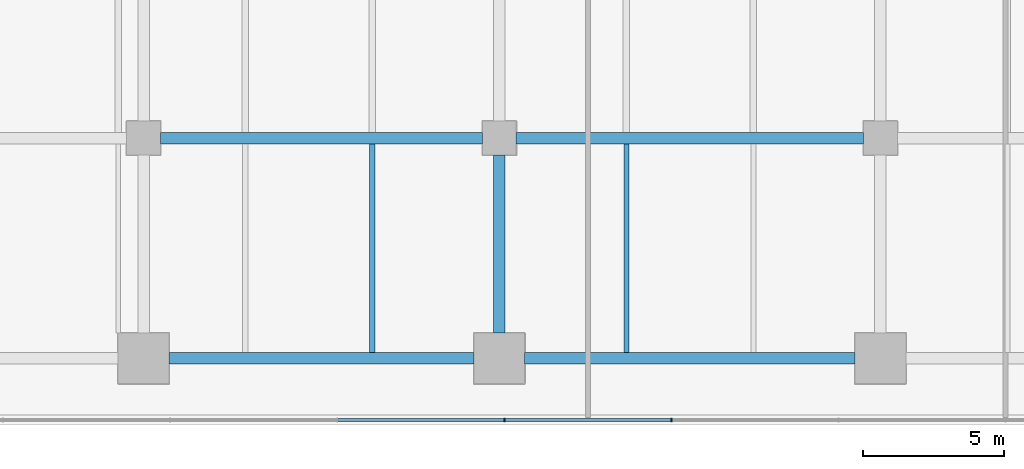
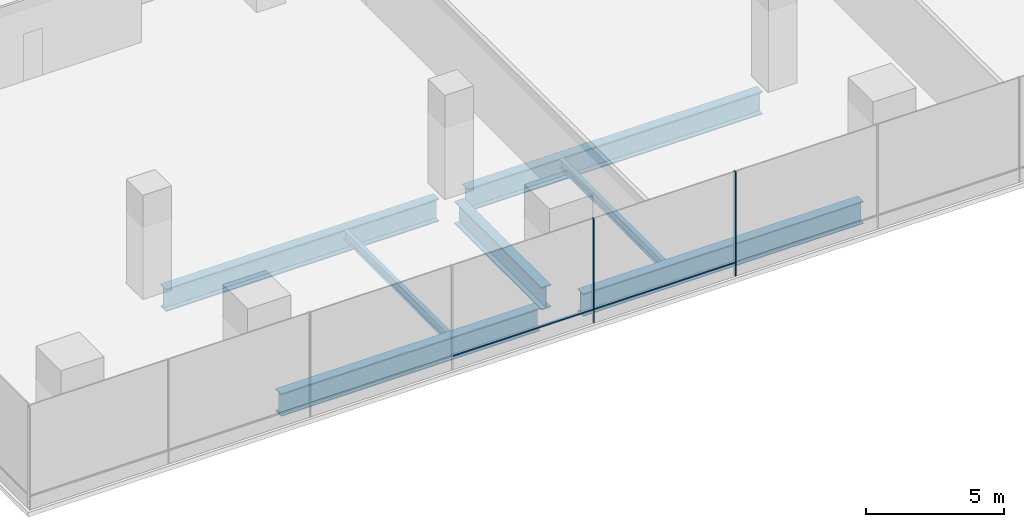
# One storey, part 3 of 28: 7 beams, 4 members, 1 element without a shape of its own.
"""IFC4 building model written with IfcOpenShell, lengths in metres."""

from ifc_helpers import new_model, si_unit, direction, frame, origin, origin_2d, place, context, subcontext, project, spatial, rectangle, i_section, extrude, material, layer, layer_set, material_profile, profile_set, type_object, element, aggregate, save


model = new_model("IFC4")

# Units and contexts
model_context = context("Model", 3, precision=1e-05, world=origin(), true_north=direction((0.0, 1.0)))
body_context = subcontext(model_context, "Body", "Model", "MODEL_VIEW")
ifc_project = project(units=[si_unit("LENGTHUNIT", "METRE"), si_unit("AREAUNIT", "SQUARE_METRE"), si_unit("VOLUMEUNIT", "CUBIC_METRE"), si_unit("PLANEANGLEUNIT", "RADIAN"), si_unit("MASSUNIT", "GRAM", prefix="KILO")], contexts=[model_context])

# Site, building, storey
site_placement = place(None, origin())
site = spatial("IfcSite", under=ifc_project, at=site_placement, CompositionType="ELEMENT")
building_placement = place(site_placement, origin())
building = spatial("IfcBuilding", under=site, at=building_placement, Name="Rattan Terrace Tower", CompositionType="ELEMENT")
storey_placement = place(building_placement, frame((0.0, 0.0, 17.39990234375)))
storey = spatial("IfcBuildingStorey", under=building, at=storey_placement, Name="L03", CompositionType="ELEMENT", Elevation=17.39990234375)

# Beams
ifc_material_1 = material(Name="Steel S355", Category="steel")
ifc_material_profile_1 = material_profile(ifc_material_1, i_section(OverallWidth=0.179931640625, OverallDepth=0.39990234375, WebThickness=0.008544921875, FlangeThickness=0.013427734375, FilletRadius=0.02099609375, at=origin_2d()), Name="IPE 400")
ifc_profile_set_1 = profile_set([ifc_material_profile_1], Name="Steel S355")
beam_type_1 = type_object("IfcBeamType", Name="Frame floor beam IPE 400", PredefinedType="JOIST", material=ifc_profile_set_1)
for number, where, z_axis, x_axis, name in (
    (1, (-18.0, -34.699951171875, -0.39990234375), (0.0, 1.0, 0.0), (-1.0, 0.0, 0.0), "bm-L03-005"),
    (2, (-9.0, -34.699951171875, -0.39990234375), (0.0, 1.0, 0.0), (-1.0, 0.0, 0.0), "bm-L03-006"),
):
    element("IfcBeam", number, at=place(storey_placement, frame(where, z_axis=z_axis, x_axis=x_axis)), inside=storey, type_object=beam_type_1, Name=name, PredefinedType="JOIST", context=body_context, shape_type="SweptSolid", body=[
        extrude(i_section(OverallWidth=0.179931640625, OverallDepth=0.39990234375, WebThickness=0.008544921875, FlangeThickness=0.013427734375, FilletRadius=0.02099609375, at=origin_2d()), origin(), (0.0, 0.0, 1.0), 7.39990234375),
    ])
ifc_material_2 = material(Name="Steel S460", Category="steel")
ifc_material_profile_2 = material_profile(ifc_material_2, i_section(OverallWidth=0.39990234375, OverallDepth=1.0, WebThickness=0.01806640625, FlangeThickness=0.044921875, at=origin_2d()), Name="PG 1000x400-18-45")
ifc_profile_set_2 = profile_set([ifc_material_profile_2], Name="Steel S460")
beam_type_2 = type_object("IfcBeamType", Name="Frame podium girder PG 1000x400-18-45", PredefinedType="USERDEFINED", material=ifc_profile_set_2)
beam_1_placement = place(storey_placement, frame((-25.199951171875, -34.89990234375, -0.699951171875), z_axis=(1.0, 0.0, 0.0), x_axis=(0.0, 1.0, 0.0)))
element("IfcBeam", 3, at=beam_1_placement, inside=storey, type_object=beam_type_2, Name="gdr-L03-002", ObjectType="PODIUM GIRDER", PredefinedType="USERDEFINED", context=body_context, shape_type="SweptSolid", body=[
    extrude(i_section(OverallWidth=0.39990234375, OverallDepth=1.0, WebThickness=0.01806640625, FlangeThickness=0.044921875, at=origin_2d()), origin(), (0.0, 0.0, 1.0), 10.800048828125),
])
beam_2_placement = place(storey_placement, frame((-12.60009765625, -34.89990234375, -0.699951171875), z_axis=(1.0, 0.0, 0.0), x_axis=(0.0, 1.0, 0.0)))
element("IfcBeam", 4, at=beam_2_placement, inside=storey, type_object=beam_type_2, Name="gdr-L03-003", ObjectType="PODIUM GIRDER", PredefinedType="USERDEFINED", context=body_context, shape_type="SweptSolid", body=[
    extrude(i_section(OverallWidth=0.39990234375, OverallDepth=1.0, WebThickness=0.01806640625, FlangeThickness=0.044921875, at=origin_2d()), origin(), (0.0, 0.0, 1.0), 11.7001953125),
])
beam_3_placement = place(storey_placement, frame((-13.5, -34.0, -0.699951171875), z_axis=(0.0, 1.0, 0.0), x_axis=(-1.0, 0.0, 0.0)))
element("IfcBeam", 5, at=beam_3_placement, inside=storey, type_object=beam_type_2, Name="gdr-L03-009", ObjectType="PODIUM GIRDER", PredefinedType="USERDEFINED", context=body_context, shape_type="SweptSolid", body=[
    extrude(i_section(OverallWidth=0.39990234375, OverallDepth=1.0, WebThickness=0.01806640625, FlangeThickness=0.044921875, at=origin_2d()), origin(), (0.0, 0.0, 1.0), 6.300048828125),
])
beam_4_placement = place(storey_placement, frame((-25.5, -27.10009765625, -0.699951171875), z_axis=(1.0, 0.0, 0.0), x_axis=(0.0, 1.0, 0.0)))
element("IfcBeam", 6, at=beam_4_placement, inside=storey, type_object=beam_type_2, Name="gdr-L03-015", ObjectType="PODIUM GIRDER", PredefinedType="USERDEFINED", context=body_context, shape_type="SweptSolid", body=[
    extrude(i_section(OverallWidth=0.39990234375, OverallDepth=1.0, WebThickness=0.01806640625, FlangeThickness=0.044921875, at=origin_2d()), origin(), (0.0, 0.0, 1.0), 11.39990234375),
])
beam_5_placement = place(storey_placement, frame((-12.89990234375, -27.10009765625, -0.699951171875), z_axis=(1.0, 0.0, 0.0), x_axis=(0.0, 1.0, 0.0)))
element("IfcBeam", 7, at=beam_5_placement, inside=storey, type_object=beam_type_2, Name="gdr-L03-016", ObjectType="PODIUM GIRDER", PredefinedType="USERDEFINED", context=body_context, shape_type="SweptSolid", body=[
    extrude(i_section(OverallWidth=0.39990234375, OverallDepth=1.0, WebThickness=0.01806640625, FlangeThickness=0.044921875, at=origin_2d()), origin(), (0.0, 0.0, 1.0), 12.2998046875),
])

# Curtain wall, members
ifc_material_3 = material(Name="Aluminium and glass", Category="aluminium")
ifc_layer = layer(ifc_material_3, 0.1201171875)
ifc_layer_set = layer_set([ifc_layer], Name="Station Storefront Curtain Wall")
curtain_wall_type = type_object("IfcCurtainWallType", Name="Station Storefront Curtain Wall", PredefinedType="NOTDEFINED", material=ifc_layer_set)
curtain_wall_placement = place(storey_placement, origin())
curtain_wall = element("IfcCurtainWall", 8, at=curtain_wall_placement, inside=storey, type_object=curtain_wall_type, Name="Storefront curtain wall L03-4", PredefinedType="NOTDEFINED")
ifc_material_4 = material(Name="Aluminium", Category="aluminium")
ifc_material_profile_3 = material_profile(ifc_material_4, rectangle(XDim=0.050048828125, YDim=0.1201171875, at=origin_2d()), Name="Aluminium 50x120")
ifc_profile_set_3 = profile_set([ifc_material_profile_3], Name="Aluminium")
member_type_1 = type_object("IfcMemberType", Name="Storefront CW Mullion 50x120", PredefinedType="MULLION", material=ifc_profile_set_3)
member_1_placement = place(storey_placement, frame((-13.320068359375, -37.080078125, 0.0), z_axis=(0.0, 0.0, 1.0), x_axis=(1.0, 0.0, 0.0)))
member_1 = element("IfcMember", 9, at=member_1_placement, type_object=member_type_1, Name="Mullion cwl-L03-004.5", PredefinedType="MULLION", context=body_context, shape_type="SweptSolid", body=[
    extrude(rectangle(XDim=0.050048828125, YDim=0.1201171875, at=origin_2d()), origin(), (0.0, 0.0, 1.0), 4.60009765625),
])
member_2_placement = place(storey_placement, frame((-7.39990234375, -37.080078125, 0.0), z_axis=(0.0, 0.0, 1.0), x_axis=(1.0, 0.0, 0.0)))
member_2 = element("IfcMember", 10, at=member_2_placement, type_object=member_type_1, Name="Mullion cwl-L03-004.6", PredefinedType="MULLION", context=body_context, shape_type="SweptSolid", body=[
    extrude(rectangle(XDim=0.050048828125, YDim=0.1201171875, at=origin_2d()), origin(), (0.0, 0.0, 1.0), 4.60009765625),
])
ifc_material_5 = material(Name="Aluminium", Category="aluminium")
ifc_material_profile_4 = material_profile(ifc_material_5, rectangle(XDim=0.10009765625, YDim=0.050048828125, at=origin_2d()), Name="Aluminium 100x50")
ifc_profile_set_4 = profile_set([ifc_material_profile_4], Name="Aluminium")
member_type_2 = type_object("IfcMemberType", Name="Storefront CW Transom 100x50", PredefinedType="USERDEFINED", material=ifc_profile_set_4)
member_3_placement = place(storey_placement, frame((-19.215087890625, -37.080078125, 0.60009765625), z_axis=(1.0, 0.0, 0.0), x_axis=(0.0, 1.0, 0.0)))
member_3 = element("IfcMember", 11, at=member_3_placement, type_object=member_type_2, Name="Transom cwl-L03-004.4", ObjectType="TRANSOM", PredefinedType="USERDEFINED", context=body_context, shape_type="SweptSolid", body=[
    extrude(rectangle(XDim=0.10009765625, YDim=0.050048828125, at=origin_2d()), origin(), (0.0, 0.0, 1.0), 5.8701171875),
])
member_4_placement = place(storey_placement, frame((-13.294921875, -37.080078125, 0.60009765625), z_axis=(1.0, 0.0, 0.0), x_axis=(0.0, 1.0, 0.0)))
member_4 = element("IfcMember", 12, at=member_4_placement, type_object=member_type_2, Name="Transom cwl-L03-004.5", ObjectType="TRANSOM", PredefinedType="USERDEFINED", context=body_context, shape_type="SweptSolid", body=[
    extrude(rectangle(XDim=0.10009765625, YDim=0.050048828125, at=origin_2d()), origin(), (0.0, 0.0, 1.0), 5.869873046875),
])
aggregate(curtain_wall, [member_1, member_2, member_3, member_4])

save(model, "model.ifc")
